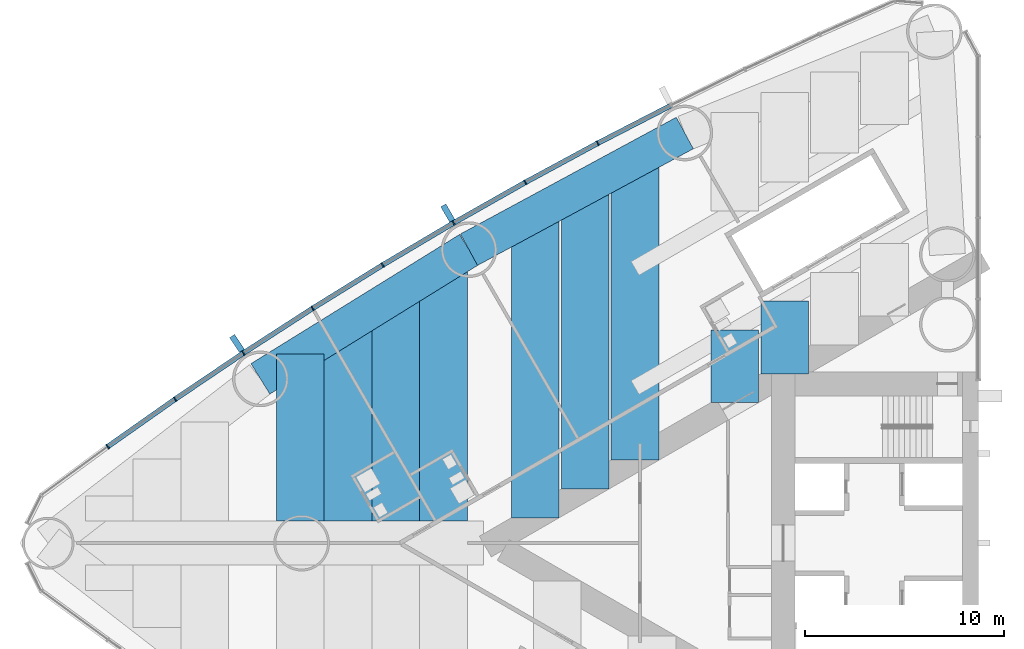
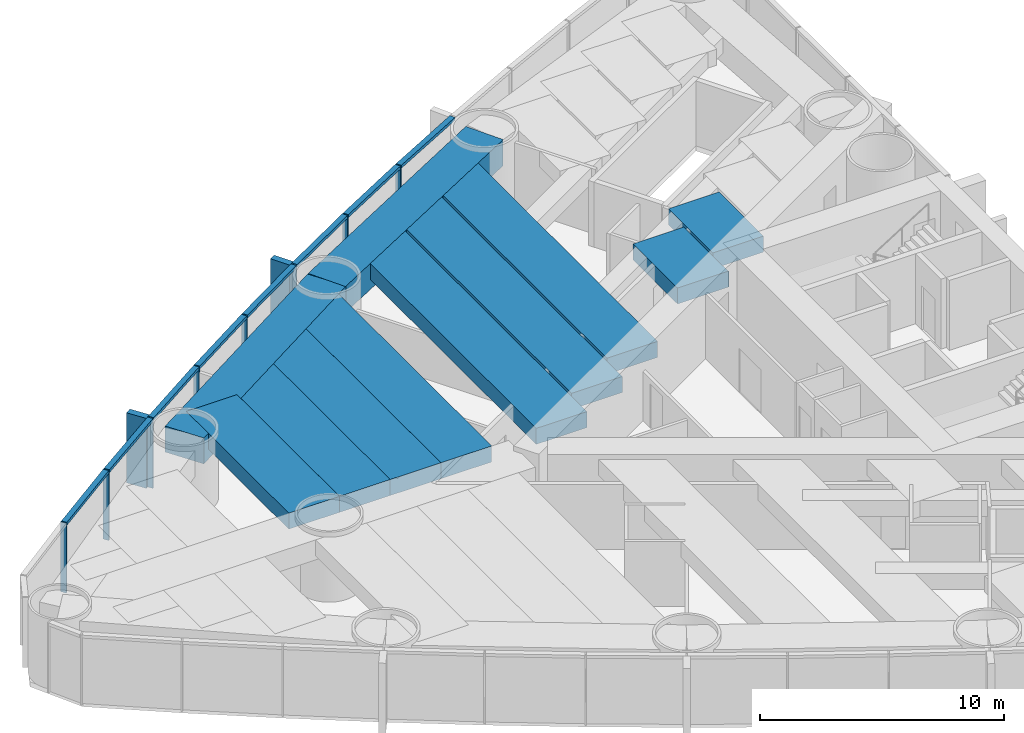
# One storey, part 4 of 19: 18 members, 11 beams, 1 element without a shape of its own.
"""IFC4 building model written with IfcOpenShell, lengths in metres."""

from ifc_helpers import new_model, si_unit, direction, frame, origin, origin_2d, place, context, subcontext, project, spatial, rectangle, extrude, material, material_profile, profile_set, type_object, element, aggregate, save


model = new_model("IFC4")

# Units and contexts
model_context = context("Model", 3, precision=1e-05, world=origin(), true_north=direction((0.0, 1.0)))
body_context = subcontext(model_context, "Body", "Model", "MODEL_VIEW")
ifc_project = project(units=[si_unit("LENGTHUNIT", "METRE"), si_unit("AREAUNIT", "SQUARE_METRE"), si_unit("VOLUMEUNIT", "CUBIC_METRE"), si_unit("PLANEANGLEUNIT", "RADIAN"), si_unit("MASSUNIT", "GRAM", prefix="KILO")], contexts=[model_context])

# Site, building, storey
site_placement = place(None, origin())
site = spatial("IfcSite", under=ifc_project, at=site_placement, CompositionType="ELEMENT")
building_placement = place(site_placement, origin())
building = spatial("IfcBuilding", under=site, at=building_placement, Name="Lancet Gate Hotel", CompositionType="ELEMENT")
storey_placement = place(building_placement, frame((0.0, 0.0, 28.5)))
storey = spatial("IfcBuildingStorey", under=building, at=storey_placement, Name="L06", CompositionType="ELEMENT", Elevation=28.5)

# Curtain wall, members
ifc_material_1 = material(Name="Aluminium curtain wall", Category="aluminium")
curtain_wall_type = type_object("IfcCurtainWallType", Name="Tower unitised curtain wall", PredefinedType="USERDEFINED", material=ifc_material_1)
curtain_wall_placement = place(storey_placement, origin())
curtain_wall = element("IfcCurtainWall", 1, at=curtain_wall_placement, inside=storey, type_object=curtain_wall_type, Name="T1 L06 curtain wall 2", ObjectType="UNITISED CURTAIN WALL", PredefinedType="USERDEFINED")
ifc_material_2 = material(Name="Aluminium mullion", Category="aluminium")
ifc_material_profile_1 = material_profile(ifc_material_2, rectangle(XDim=0.06494140625, YDim=0.25, at=origin_2d()), Name="MULLION 65x250")
ifc_profile_set_1 = profile_set([ifc_material_profile_1], Name="Aluminium mullion")
member_type_1 = type_object("IfcMemberType", Name="Aluminium mullion 65x250", PredefinedType="MULLION", material=ifc_profile_set_1)
member_1_placement = place(storey_placement, frame((-46.6220703125, 20.094970703125, 0.0), z_axis=(0.0, 0.0, 1.0), x_axis=(-0.884311132302, -0.466898084475, 0.0)))
member_1 = element("IfcMember", 2, at=member_1_placement, type_object=member_type_1, Name="T1 L06 curtain wall 2 mullion 6", PredefinedType="MULLION", context=body_context, shape_type="SweptSolid", body=[
    extrude(rectangle(XDim=0.06494140625, YDim=0.25, at=origin_2d()), origin(), (0.0, 0.0, 1.0), 3.5),
])
member_2_placement = place(storey_placement, frame((-50.26416015625, 18.1259765625, 0.0), z_axis=(0.0, 0.0, 1.0), x_axis=(-0.874991035403, -0.484139120464, 0.0)))
member_2 = element("IfcMember", 3, at=member_2_placement, type_object=member_type_1, Name="T1 L06 curtain wall 2 mullion 7", PredefinedType="MULLION", context=body_context, shape_type="SweptSolid", body=[
    extrude(rectangle(XDim=0.06494140625, YDim=0.25, at=origin_2d()), origin(), (0.0, 0.0, 1.0), 3.5),
])
member_3_placement = place(storey_placement, frame((-53.866943359375, 16.086181640625, 0.0), z_axis=(0.0, 0.0, 1.0), x_axis=(-0.86533483912, -0.501194190115, 0.0)))
member_3 = element("IfcMember", 4, at=member_3_placement, type_object=member_type_1, Name="T1 L06 curtain wall 2 mullion 8", PredefinedType="MULLION", context=body_context, shape_type="SweptSolid", body=[
    extrude(rectangle(XDim=0.06494140625, YDim=0.25, at=origin_2d()), origin(), (0.0, 0.0, 1.0), 3.5),
])
member_4_placement = place(storey_placement, frame((-57.42919921875, 13.97607421875, 0.0), z_axis=(0.0, 0.0, 1.0), x_axis=(-0.855346252548, -0.518056742309, 0.0)))
member_4 = element("IfcMember", 5, at=member_4_placement, type_object=member_type_1, Name="T1 L06 curtain wall 2 mullion 9", PredefinedType="MULLION", context=body_context, shape_type="SweptSolid", body=[
    extrude(rectangle(XDim=0.06494140625, YDim=0.25, at=origin_2d()), origin(), (0.0, 0.0, 1.0), 3.5),
])
member_5_placement = place(storey_placement, frame((-60.949462890625, 11.796630859375, 0.0), z_axis=(0.0, 0.0, 1.0), x_axis=(-0.845029112489, -0.534720299827, 0.0)))
member_5 = element("IfcMember", 6, at=member_5_placement, type_object=member_type_1, Name="T1 L06 curtain wall 2 mullion 10", PredefinedType="MULLION", context=body_context, shape_type="SweptSolid", body=[
    extrude(rectangle(XDim=0.06494140625, YDim=0.25, at=origin_2d()), origin(), (0.0, 0.0, 1.0), 3.5),
])
member_6_placement = place(storey_placement, frame((-64.42626953125, 9.548583984375, 0.0), z_axis=(0.0, 0.0, 1.0), x_axis=(-0.834387381945, -0.55117846189, 0.0)))
member_6 = element("IfcMember", 7, at=member_6_placement, type_object=member_type_1, Name="T1 L06 curtain wall 2 mullion 11", PredefinedType="MULLION", context=body_context, shape_type="SweptSolid", body=[
    extrude(rectangle(XDim=0.06494140625, YDim=0.25, at=origin_2d()), origin(), (0.0, 0.0, 1.0), 3.5),
])
member_7_placement = place(storey_placement, frame((-67.858154296875, 7.232666015625, 0.0), z_axis=(0.0, 0.0, 1.0), x_axis=(-0.823425148573, -0.56742490666, 0.0)))
member_7 = element("IfcMember", 8, at=member_7_placement, type_object=member_type_1, Name="T1 L06 curtain wall 2 mullion 12", PredefinedType="MULLION", context=body_context, shape_type="SweptSolid", body=[
    extrude(rectangle(XDim=0.06494140625, YDim=0.25, at=origin_2d()), origin(), (0.0, 0.0, 1.0), 3.5),
])
member_8_placement = place(storey_placement, frame((-71.244384765625, 4.85009765625, 0.0), z_axis=(0.0, 0.0, 1.0), x_axis=(-0.812146623168, -0.583453393578, 0.0)))
member_8 = element("IfcMember", 9, at=member_8_placement, type_object=member_type_1, Name="T1 L06 curtain wall 2 mullion 13", PredefinedType="MULLION", context=body_context, shape_type="SweptSolid", body=[
    extrude(rectangle(XDim=0.06494140625, YDim=0.25, at=origin_2d()), origin(), (0.0, 0.0, 1.0), 3.5),
])
ifc_material_3 = material(Name="Aluminium transom", Category="aluminium")
ifc_material_profile_2 = material_profile(ifc_material_3, rectangle(XDim=0.25, YDim=0.14990234375, at=origin_2d()), Name="TRANSOM 250x150")
ifc_profile_set_2 = profile_set([ifc_material_profile_2], Name="Aluminium transom")
member_type_2 = type_object("IfcMemberType", Name="Aluminium transom 250x150", PredefinedType="USERDEFINED", material=ifc_profile_set_2)
member_9_placement = place(storey_placement, frame((-42.970703125, 21.97705078125, 3.425048828125), z_axis=(-0.888859972399, -0.458178949175, 0.0), x_axis=(0.458178949175, -0.888859972399, 0.0)))
member_9 = element("IfcMember", 10, at=member_9_placement, type_object=member_type_2, Name="T1 L06 curtain wall 2 transom 5", ObjectType="TRANSOM", PredefinedType="USERDEFINED", context=body_context, shape_type="SweptSolid", body=[
    extrude(rectangle(XDim=0.25, YDim=0.14990234375, at=origin_2d()), origin(), (0.0, 0.0, 1.0), 4.0751953125),
])
member_10_placement = place(storey_placement, frame((-46.650634765625, 20.079345703125, 3.425048828125), z_axis=(-0.87971396408, -0.475503250675, 0.0), x_axis=(0.475503250675, -0.87971396408, 0.0)))
member_10 = element("IfcMember", 11, at=member_10_placement, type_object=member_type_2, Name="T1 L06 curtain wall 2 transom 6", ObjectType="TRANSOM", PredefinedType="USERDEFINED", context=body_context, shape_type="SweptSolid", body=[
    extrude(rectangle(XDim=0.25, YDim=0.14990234375, at=origin_2d()), origin(), (0.0, 0.0, 1.0), 4.0751953125),
])
member_11_placement = place(storey_placement, frame((-50.29248046875, 18.110107421875, 3.425048828125), z_axis=(-0.870197729943, -0.492702659625, 0.0), x_axis=(0.492702659625, -0.870197729943, 0.0)))
member_11 = element("IfcMember", 12, at=member_11_placement, type_object=member_type_2, Name="T1 L06 curtain wall 2 transom 7", ObjectType="TRANSOM", PredefinedType="USERDEFINED", context=body_context, shape_type="SweptSolid", body=[
    extrude(rectangle(XDim=0.25, YDim=0.14990234375, at=origin_2d()), origin(), (0.0, 0.0, 1.0), 4.0751953125),
])
member_12_placement = place(storey_placement, frame((-53.89501953125, 16.069580078125, 3.425048828125), z_axis=(-0.86039174806, -0.509633240547, 0.0), x_axis=(0.509633240547, -0.86039174806, 0.0)))
member_12 = element("IfcMember", 13, at=member_12_placement, type_object=member_type_2, Name="T1 L06 curtain wall 2 transom 8", ObjectType="TRANSOM", PredefinedType="USERDEFINED", context=body_context, shape_type="SweptSolid", body=[
    extrude(rectangle(XDim=0.25, YDim=0.14990234375, at=origin_2d()), origin(), (0.0, 0.0, 1.0), 4.0751953125),
])
member_13_placement = place(storey_placement, frame((-57.456787109375, 13.958984375, 3.425048828125), z_axis=(-0.850242165643, -0.526391736032, 0.0), x_axis=(0.526391736032, -0.850242165643, 0.0)))
member_13 = element("IfcMember", 14, at=member_13_placement, type_object=member_type_2, Name="T1 L06 curtain wall 2 transom 9", ObjectType="TRANSOM", PredefinedType="USERDEFINED", context=body_context, shape_type="SweptSolid", body=[
    extrude(rectangle(XDim=0.25, YDim=0.14990234375, at=origin_2d()), origin(), (0.0, 0.0, 1.0), 4.075439453125),
])
member_14_placement = place(storey_placement, frame((-60.976806640625, 11.779052734375, 3.425048828125), z_axis=(-0.839729242404, -0.543005340169, 0.0), x_axis=(0.543005340169, -0.839729242404, 0.0)))
member_14 = element("IfcMember", 15, at=member_14_placement, type_object=member_type_2, Name="T1 L06 curtain wall 2 transom 10", ObjectType="TRANSOM", PredefinedType="USERDEFINED", context=body_context, shape_type="SweptSolid", body=[
    extrude(rectangle(XDim=0.25, YDim=0.14990234375, at=origin_2d()), origin(), (0.0, 0.0, 1.0), 4.0751953125),
])
member_15_placement = place(storey_placement, frame((-64.453125, 9.5302734375, 3.425048828125), z_axis=(-0.828959086782, -0.559309245804, 0.0), x_axis=(0.559309245804, -0.828959086782, 0.0)))
member_15 = element("IfcMember", 16, at=member_15_placement, type_object=member_type_2, Name="T1 L06 curtain wall 2 transom 11", ObjectType="TRANSOM", PredefinedType="USERDEFINED", context=body_context, shape_type="SweptSolid", body=[
    extrude(rectangle(XDim=0.25, YDim=0.14990234375, at=origin_2d()), origin(), (0.0, 0.0, 1.0), 4.0751953125),
])
member_16_placement = place(storey_placement, frame((-67.884765625, 7.214111328125, 3.425048828125), z_axis=(-0.817833568345, -0.57545482402, 0.0), x_axis=(0.57545482402, -0.817833568345, 0.0)))
member_16 = element("IfcMember", 17, at=member_16_placement, type_object=member_type_2, Name="T1 L06 curtain wall 2 transom 12", ObjectType="TRANSOM", PredefinedType="USERDEFINED", context=body_context, shape_type="SweptSolid", body=[
    extrude(rectangle(XDim=0.25, YDim=0.14990234375, at=origin_2d()), origin(), (0.0, 0.0, 1.0), 4.075439453125),
])

# Beams
ifc_material_4 = material(Name="Concrete C50/60", Category="concrete")
ifc_material_profile_3 = material_profile(ifc_material_4, rectangle(XDim=1.800048828125, YDim=1.300048828125, at=origin_2d()), Name="RC 1800x1300")
ifc_profile_set_3 = profile_set([ifc_material_profile_3], Name="Concrete C50/60")
beam_type_1 = type_object("IfcBeamType", Name="Edge beam RC 1800x1300", PredefinedType="SPANDREL", material=ifc_profile_set_3)
for number, where, z_axis, x_axis, name in (
    (18, (-42.2451171875, 20.607421875, 2.60009765625), (-0.879692855603, -0.475542300749, 0.0), (0.475542300749, -0.879692855603, 0.0), "T1 edge beam EB1 L06"),
    (19, (-53.090087890625, 14.744873046875, 2.60009765625), (-0.850225894333, -0.526418016984, 0.0), (0.526418016984, -0.850225894333, 0.0), "T1 edge beam EB1 L06"),
):
    element("IfcBeam", number, at=place(storey_placement, frame(where, z_axis=z_axis, x_axis=x_axis)), inside=storey, type_object=beam_type_1, Name=name, PredefinedType="SPANDREL", context=body_context, shape_type="SweptSolid", body=[
        extrude(rectangle(XDim=1.800048828125, YDim=1.300048828125, at=origin_2d()), origin(), (0.0, 0.0, 1.0), 12.328125),
    ])

# Member
ifc_material_5 = material(Name="Precast concrete C50/60", Category="concrete")
ifc_material_profile_4 = material_profile(ifc_material_5, rectangle(XDim=0.300048828125, YDim=0.89990234375, at=origin_2d()), Name="FIN 300x900")
ifc_profile_set_4 = profile_set([ifc_material_profile_4], Name="Precast concrete C50/60")
member_type_3 = type_object("IfcMemberType", Name="Exposed concrete fin 300x900", PredefinedType="USERDEFINED", material=ifc_profile_set_4)
member_17_placement = place(storey_placement, frame((-54.1552734375, 16.583740234375, 0.0), z_axis=(0.0, 0.0, 1.0), x_axis=(-0.86533483912, -0.501194190115, 0.0)))
member_17 = element("IfcMember", 20, at=member_17_placement, type_object=member_type_3, Name="T1 L06 curtain wall 2 fin 8", ObjectType="FIN", PredefinedType="USERDEFINED", context=body_context, shape_type="SweptSolid", body=[
    extrude(rectangle(XDim=0.300048828125, YDim=0.89990234375, at=origin_2d()), origin(), (0.0, 0.0, 1.0), 3.5),
])

member_18_placement = place(storey_placement, frame((-64.7431640625, 10.0283203125, 0.0), z_axis=(0.0, 0.0, 1.0), x_axis=(-0.834387381945, -0.55117846189, 0.0)))
member_18 = element("IfcMember", 21, at=member_18_placement, type_object=member_type_3, Name="T1 L06 curtain wall 2 fin 11", ObjectType="FIN", PredefinedType="USERDEFINED", context=body_context, shape_type="SweptSolid", body=[
    extrude(rectangle(XDim=0.300048828125, YDim=0.89990234375, at=origin_2d()), origin(), (0.0, 0.0, 1.0), 3.5),
])

aggregate(curtain_wall, [member_1, member_2, member_3, member_17, member_4, member_5, member_6, member_18, member_7, member_8, member_9, member_10, member_11, member_12, member_13, member_14, member_15, member_16])

# Beams
ifc_material_6 = material(Name="Concrete C50/60", Category="concrete")
ifc_material_profile_5 = material_profile(ifc_material_6, rectangle(XDim=2.39990234375, YDim=0.800048828125, at=origin_2d()), Name="RC 2400x800")
ifc_profile_set_5 = profile_set([ifc_material_profile_5], Name="Concrete C50/60")
beam_type_2 = type_object("IfcBeamType", Name="Floor beam RC 2400x800", PredefinedType="BEAM", material=ifc_profile_set_5)
beam_1_placement = place(storey_placement, frame((-44.747802734375, 19.254638671875, 2.85009765625), z_axis=(0.0, -1.0, 0.0), x_axis=(1.0, 0.0, 0.0)))
element("IfcBeam", 22, at=beam_1_placement, inside=storey, type_object=beam_type_2, Name="T1 floor beam F09S L06", PredefinedType="BEAM", context=body_context, shape_type="SweptSolid", body=[
    extrude(rectangle(XDim=2.39990234375, YDim=0.800048828125, at=origin_2d()), origin(), (0.0, 0.0, 1.0), 15.0859375),
])
beam_2_placement = place(storey_placement, frame((-47.254638671875, 17.8994140625, 2.85009765625), z_axis=(0.0, -1.0, 0.0), x_axis=(1.0, 0.0, 0.0)))
element("IfcBeam", 23, at=beam_2_placement, inside=storey, type_object=beam_type_2, Name="T1 floor beam F10S L06", PredefinedType="BEAM", context=body_context, shape_type="SweptSolid", body=[
    extrude(rectangle(XDim=2.39990234375, YDim=0.800048828125, at=origin_2d()), origin(), (0.0, 0.0, 1.0), 15.177978515625),
])
beam_3_placement = place(storey_placement, frame((-49.761474609375, 16.54443359375, 2.85009765625), z_axis=(0.0, -1.0, 0.0), x_axis=(1.0, 0.0, 0.0)))
element("IfcBeam", 24, at=beam_3_placement, inside=storey, type_object=beam_type_2, Name="T1 floor beam F12S L06", PredefinedType="BEAM", context=body_context, shape_type="SweptSolid", body=[
    extrude(rectangle(XDim=2.39990234375, YDim=0.800048828125, at=origin_2d()), origin(), (0.0, 0.0, 1.0), 15.270263671875),
])
beam_4_placement = place(storey_placement, frame((-54.3681640625, 13.95361328125, 2.85009765625), z_axis=(0.0, -1.0, 0.0), x_axis=(1.0, 0.0, 0.0)))
element("IfcBeam", 25, at=beam_4_placement, inside=storey, type_object=beam_type_2, Name="T1 floor beam F13S L06", PredefinedType="BEAM", context=body_context, shape_type="SweptSolid", body=[
    extrude(rectangle(XDim=2.39990234375, YDim=0.800048828125, at=origin_2d()), origin(), (0.0, 0.0, 1.0), 12.853515625),
])
beam_5_placement = place(storey_placement, frame((-56.768310546875, 12.467529296875, 2.85009765625), z_axis=(0.0, -1.0, 0.0), x_axis=(1.0, 0.0, 0.0)))
element("IfcBeam", 26, at=beam_5_placement, inside=storey, type_object=beam_type_2, Name="T1 floor beam F15S L06", PredefinedType="BEAM", context=body_context, shape_type="SweptSolid", body=[
    extrude(rectangle(XDim=2.39990234375, YDim=0.800048828125, at=origin_2d()), origin(), (0.0, 0.0, 1.0), 11.367431640625),
])
beam_6_placement = place(storey_placement, frame((-59.168212890625, 10.981689453125, 2.85009765625), z_axis=(0.0, -1.0, 0.0), x_axis=(1.0, 0.0, 0.0)))
element("IfcBeam", 27, at=beam_6_placement, inside=storey, type_object=beam_type_2, Name="T1 floor beam F17S L06", PredefinedType="BEAM", context=body_context, shape_type="SweptSolid", body=[
    extrude(rectangle(XDim=2.39990234375, YDim=0.800048828125, at=origin_2d()), origin(), (0.0, 0.0, 1.0), 9.881591796875),
])
beam_7_placement = place(storey_placement, frame((-61.568359375, 9.495849609375, 2.85009765625), z_axis=(0.0, -1.0, 0.0), x_axis=(1.0, 0.0, 0.0)))
element("IfcBeam", 28, at=beam_7_placement, inside=storey, type_object=beam_type_2, Name="T1 floor beam F19S L06", PredefinedType="BEAM", context=body_context, shape_type="SweptSolid", body=[
    extrude(rectangle(XDim=2.39990234375, YDim=0.800048828125, at=origin_2d()), origin(), (0.0, 0.0, 1.0), 8.395751953125),
])
beam_8_placement = place(storey_placement, frame((-37.227294921875, 12.15625, 2.85009765625), z_axis=(0.0, -1.0, 0.0), x_axis=(1.0, 0.0, 0.0)))
element("IfcBeam", 29, at=beam_8_placement, inside=storey, type_object=beam_type_2, Name="T1 floor beam F05SB L06", PredefinedType="BEAM", context=body_context, shape_type="SweptSolid", body=[
    extrude(rectangle(XDim=2.39990234375, YDim=0.800048828125, at=origin_2d()), origin(), (0.0, 0.0, 1.0), 3.6455078125),
])
beam_9_placement = place(storey_placement, frame((-39.734130859375, 10.708740234375, 2.85009765625), z_axis=(0.0, -1.0, 0.0), x_axis=(1.0, 0.0, 0.0)))
element("IfcBeam", 30, at=beam_9_placement, inside=storey, type_object=beam_type_2, Name="T1 floor beam F07SB L06", PredefinedType="BEAM", context=body_context, shape_type="SweptSolid", body=[
    extrude(rectangle(XDim=2.39990234375, YDim=0.800048828125, at=origin_2d()), origin(), (0.0, 0.0, 1.0), 3.645263671875),
])

save(model, "model.ifc")
